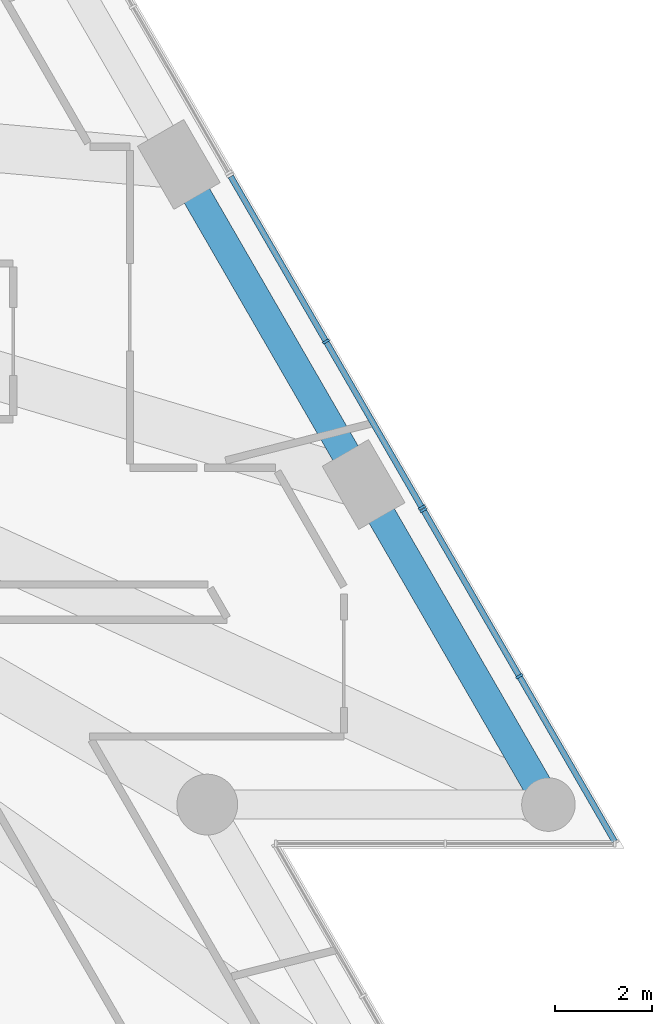
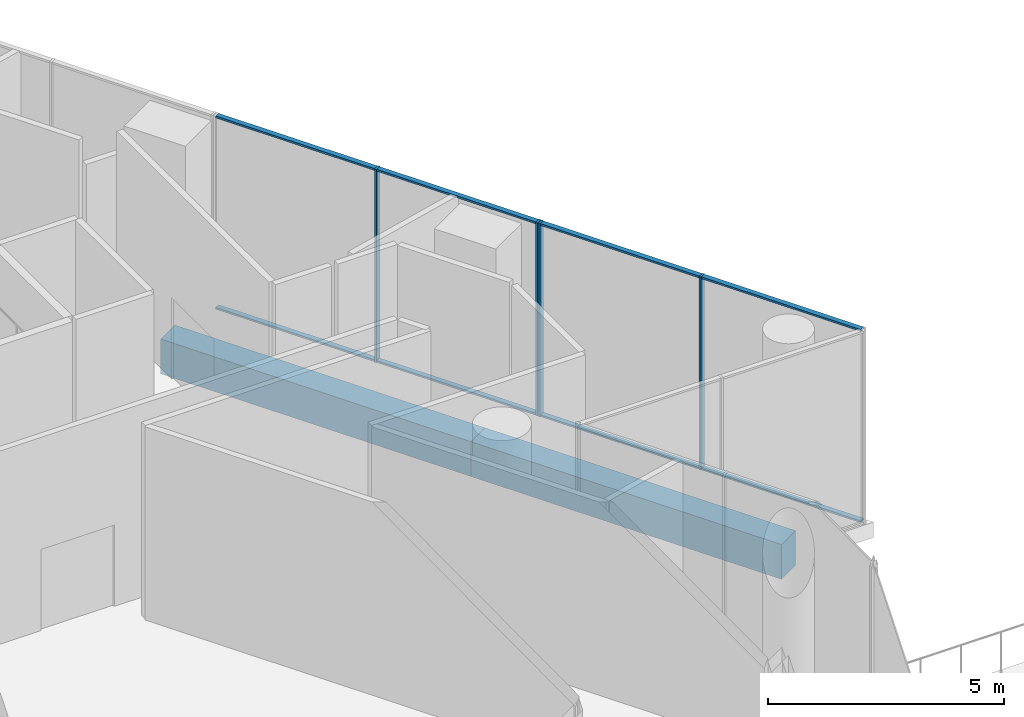
# One storey, part 16 of 32: 12 members, 2 beams, 2 elements without a shape of their own.
"""IFC4 building model written with IfcOpenShell, lengths in metres."""

from ifc_helpers import new_model, si_unit, direction, frame, origin, origin_2d, place, context, subcontext, project, spatial, rectangle, extrude, material, layer, layer_set, material_profile, profile_set, type_object, element, aggregate, save


model = new_model("IFC4")

# Units and contexts
model_context = context("Model", 3, precision=1e-05, world=origin(), true_north=direction((0.0, 1.0)))
body_context = subcontext(model_context, "Body", "Model", "MODEL_VIEW")
ifc_project = project(units=[si_unit("LENGTHUNIT", "METRE"), si_unit("AREAUNIT", "SQUARE_METRE"), si_unit("VOLUMEUNIT", "CUBIC_METRE"), si_unit("PLANEANGLEUNIT", "RADIAN"), si_unit("MASSUNIT", "GRAM", prefix="KILO")], contexts=[model_context])

# Site, building, storey
site_placement = place(None, origin())
site = spatial("IfcSite", under=ifc_project, at=site_placement, CompositionType="ELEMENT")
building_placement = place(site_placement, origin())
building = spatial("IfcBuilding", under=site, at=building_placement, Name="Triada Interchange Tower", CompositionType="ELEMENT")
storey_placement = place(building_placement, frame((0.0, 0.0, 14.5)))
storey = spatial("IfcBuildingStorey", under=building, at=storey_placement, Name="L02", CompositionType="ELEMENT", Elevation=14.5)

# Curtain wall, members
ifc_material_1 = material(Name="Aluminium framed glazing", Category="aluminium")
ifc_layer = layer(ifc_material_1, 0.199951171875)
ifc_layer_set = layer_set([ifc_layer], Name="Curtain wall Retail shopfront")
curtain_wall_type = type_object("IfcCurtainWallType", Name="Curtain wall Retail shopfront", PredefinedType="NOTDEFINED", material=ifc_layer_set)
curtain_wall_1_placement = place(storey_placement, origin())
curtain_wall_1 = element("IfcCurtainWall", 1, at=curtain_wall_1_placement, inside=storey, type_object=curtain_wall_type, Name="Retail shopfront CW013 L02", PredefinedType="NOTDEFINED")
ifc_material_2 = material(Name="Aluminium", Category="aluminium")
ifc_material_profile_1 = material_profile(ifc_material_2, rectangle(XDim=0.14990234375, YDim=0.050048828125, at=origin_2d()), Name="Aluminium mullion")
ifc_profile_set_1 = profile_set([ifc_material_profile_1], Name="Aluminium")
member_type_1 = type_object("IfcMemberType", Name="Mullion Retail shopfront 150x50", PredefinedType="MULLION", material=ifc_profile_set_1)
member_1_placement = place(storey_placement, frame((33.305908203125, -12.886474609375, 0.0), z_axis=(0.0, 0.0, 1.0), x_axis=(-0.86604927658, -0.499958648825, 0.0)))
member_1 = element("IfcMember", 2, at=member_1_placement, type_object=member_type_1, Name="CW013 mullion 2", PredefinedType="MULLION", context=body_context, shape_type="SweptSolid", body=[
    extrude(rectangle(XDim=0.14990234375, YDim=0.050048828125, at=origin_2d()), origin(), (0.0, 0.0, 1.0), 5.0),
])
member_2_placement = place(storey_placement, frame((31.33349609375, -9.4697265625, 0.0), z_axis=(0.0, 0.0, 1.0), x_axis=(-0.86604927658, -0.499958648825, 0.0)))
member_2 = element("IfcMember", 3, at=member_2_placement, type_object=member_type_1, Name="CW013 mullion 3", PredefinedType="MULLION", context=body_context, shape_type="SweptSolid", body=[
    extrude(rectangle(XDim=0.14990234375, YDim=0.050048828125, at=origin_2d()), origin(), (0.0, 0.0, 1.0), 5.0),
])

curtain_wall_2_placement = place(storey_placement, origin())
curtain_wall_2 = element("IfcCurtainWall", 4, at=curtain_wall_2_placement, inside=storey, type_object=curtain_wall_type, Name="Retail shopfront CW014 L02", PredefinedType="NOTDEFINED")
member_3_placement = place(storey_placement, frame((31.302490234375, -9.417236328125, 0.0), z_axis=(0.0, 0.0, 1.0), x_axis=(-0.866055473648, -0.499947913852, 0.0)))
member_3 = element("IfcMember", 5, at=member_3_placement, type_object=member_type_1, Name="CW014 mullion 1", PredefinedType="MULLION", context=body_context, shape_type="SweptSolid", body=[
    extrude(rectangle(XDim=0.14990234375, YDim=0.050048828125, at=origin_2d()), origin(), (0.0, 0.0, 1.0), 5.0),
])
member_4_placement = place(storey_placement, frame((29.33154296875, -6.0029296875, 0.0), z_axis=(0.0, 0.0, 1.0), x_axis=(-0.866055473648, -0.499947913852, 0.0)))
member_4 = element("IfcMember", 6, at=member_4_placement, type_object=member_type_1, Name="CW014 mullion 2", PredefinedType="MULLION", context=body_context, shape_type="SweptSolid", body=[
    extrude(rectangle(XDim=0.14990234375, YDim=0.050048828125, at=origin_2d()), origin(), (0.0, 0.0, 1.0), 5.0),
])

# Beams
ifc_material_3 = material(Name="Concrete C50/60", Category="concrete")
ifc_material_profile_2 = material_profile(ifc_material_3, rectangle(XDim=0.60009765625, YDim=0.89990234375, at=origin_2d()), Name="RC 600x900")
ifc_profile_set_2 = profile_set([ifc_material_profile_2], Name="Concrete C50/60")
beam_type = type_object("IfcBeamType", Name="Spandrel beam P RC 600x900", PredefinedType="BEAM", material=ifc_profile_set_2)
beam_1_placement = place(storey_placement, frame((33.905029296875, -15.52490234375, -0.85009765625), z_axis=(-0.500060803479, 0.865990296034, 0.0), x_axis=(-0.865990296034, -0.500060803479, 0.0)))
element("IfcBeam", 7, at=beam_1_placement, inside=storey, type_object=beam_type, Name="Spandrel beam EP21 L02", PredefinedType="BEAM", context=body_context, shape_type="SweptSolid", body=[
    extrude(rectangle(XDim=0.60009765625, YDim=0.89990234375, at=origin_2d()), origin(), (0.0, 0.0, 1.0), 7.59912109375),
])
beam_2_placement = place(storey_placement, frame((30.10498046875, -8.944091796875, -0.85009765625), z_axis=(-0.499950508799, 0.866053975657, 0.0), x_axis=(-0.866053975657, -0.499950508799, 0.0)))
element("IfcBeam", 8, at=beam_2_placement, inside=storey, type_object=beam_type, Name="Spandrel beam EP22 L02", PredefinedType="BEAM", context=body_context, shape_type="SweptSolid", body=[
    extrude(rectangle(XDim=0.60009765625, YDim=0.89990234375, at=origin_2d()), origin(), (0.0, 0.0, 1.0), 7.598876953125),
])

# Member
ifc_material_profile_3 = material_profile(ifc_material_2, rectangle(XDim=0.1201171875, YDim=0.050048828125, at=origin_2d()), Name="Aluminium transom")
ifc_profile_set_3 = profile_set([ifc_material_profile_3], Name="Aluminium")
member_type_2 = type_object("IfcMemberType", Name="Transom Retail shopfront 120x50", PredefinedType="USERDEFINED", material=ifc_profile_set_3)
member_5_placement = place(storey_placement, frame((35.26611328125, -16.28173828125, 0.02490234375), z_axis=(-0.499961171201, 0.866047820441, 0.0), x_axis=(-0.866047820441, -0.499961171201, 0.0)))
member_5 = element("IfcMember", 9, at=member_5_placement, type_object=member_type_2, Name="CW013 transom 1.1", ObjectType="TRANSOM", PredefinedType="USERDEFINED", context=body_context, shape_type="SweptSolid", body=[
    extrude(rectangle(XDim=0.1201171875, YDim=0.050048828125, at=origin_2d()), origin(), (0.0, 0.0, 1.0), 3.895263671875),
])

member_6_placement = place(storey_placement, frame((35.26611328125, -16.28173828125, 4.97509765625), z_axis=(-0.499961171201, 0.866047820441, 0.0), x_axis=(-0.866047820441, -0.499961171201, 0.0)))
member_6 = element("IfcMember", 10, at=member_6_placement, type_object=member_type_2, Name="CW013 transom 1.2", ObjectType="TRANSOM", PredefinedType="USERDEFINED", context=body_context, shape_type="SweptSolid", body=[
    extrude(rectangle(XDim=0.1201171875, YDim=0.050048828125, at=origin_2d()), origin(), (0.0, 0.0, 1.0), 3.895263671875),
])

member_7_placement = place(storey_placement, frame((33.29345703125, -12.86474609375, 0.02490234375), z_axis=(-0.499961171201, 0.866047820441, 0.0), x_axis=(-0.866047820441, -0.499961171201, 0.0)))
member_7 = element("IfcMember", 11, at=member_7_placement, type_object=member_type_2, Name="CW013 transom 2.1", ObjectType="TRANSOM", PredefinedType="USERDEFINED", context=body_context, shape_type="SweptSolid", body=[
    extrude(rectangle(XDim=0.1201171875, YDim=0.050048828125, at=origin_2d()), origin(), (0.0, 0.0, 1.0), 3.895263671875),
])

member_8_placement = place(storey_placement, frame((33.29345703125, -12.86474609375, 4.97509765625), z_axis=(-0.499961171201, 0.866047820441, 0.0), x_axis=(-0.866047820441, -0.499961171201, 0.0)))
member_8 = element("IfcMember", 12, at=member_8_placement, type_object=member_type_2, Name="CW013 transom 2.2", ObjectType="TRANSOM", PredefinedType="USERDEFINED", context=body_context, shape_type="SweptSolid", body=[
    extrude(rectangle(XDim=0.1201171875, YDim=0.050048828125, at=origin_2d()), origin(), (0.0, 0.0, 1.0), 3.895263671875),
])

aggregate(curtain_wall_1, [member_1, member_2, member_5, member_6, member_7, member_8])

member_9_placement = place(storey_placement, frame((31.2900390625, -9.395751953125, 0.02490234375), z_axis=(-0.499950487857, 0.866053987747, 0.0), x_axis=(-0.866053987747, -0.499950487857, 0.0)))
member_9 = element("IfcMember", 13, at=member_9_placement, type_object=member_type_2, Name="CW014 transom 1.1", ObjectType="TRANSOM", PredefinedType="USERDEFINED", context=body_context, shape_type="SweptSolid", body=[
    extrude(rectangle(XDim=0.1201171875, YDim=0.050048828125, at=origin_2d()), origin(), (0.0, 0.0, 1.0), 3.892578125),
])

member_10_placement = place(storey_placement, frame((31.2900390625, -9.395751953125, 4.97509765625), z_axis=(-0.499950487857, 0.866053987747, 0.0), x_axis=(-0.866053987747, -0.499950487857, 0.0)))
member_10 = element("IfcMember", 14, at=member_10_placement, type_object=member_type_2, Name="CW014 transom 1.2", ObjectType="TRANSOM", PredefinedType="USERDEFINED", context=body_context, shape_type="SweptSolid", body=[
    extrude(rectangle(XDim=0.1201171875, YDim=0.050048828125, at=origin_2d()), origin(), (0.0, 0.0, 1.0), 3.892578125),
])

member_11_placement = place(storey_placement, frame((29.319091796875, -5.9814453125, 0.02490234375), z_axis=(-0.499950487857, 0.866053987747, 0.0), x_axis=(-0.866053987747, -0.499950487857, 0.0)))
member_11 = element("IfcMember", 15, at=member_11_placement, type_object=member_type_2, Name="CW014 transom 2.1", ObjectType="TRANSOM", PredefinedType="USERDEFINED", context=body_context, shape_type="SweptSolid", body=[
    extrude(rectangle(XDim=0.1201171875, YDim=0.050048828125, at=origin_2d()), origin(), (0.0, 0.0, 1.0), 3.892578125),
])

member_12_placement = place(storey_placement, frame((29.319091796875, -5.9814453125, 4.97509765625), z_axis=(-0.499950487857, 0.866053987747, 0.0), x_axis=(-0.866053987747, -0.499950487857, 0.0)))
member_12 = element("IfcMember", 16, at=member_12_placement, type_object=member_type_2, Name="CW014 transom 2.2", ObjectType="TRANSOM", PredefinedType="USERDEFINED", context=body_context, shape_type="SweptSolid", body=[
    extrude(rectangle(XDim=0.1201171875, YDim=0.050048828125, at=origin_2d()), origin(), (0.0, 0.0, 1.0), 3.892578125),
])

aggregate(curtain_wall_2, [member_3, member_4, member_9, member_10, member_11, member_12])

save(model, "model.ifc")
